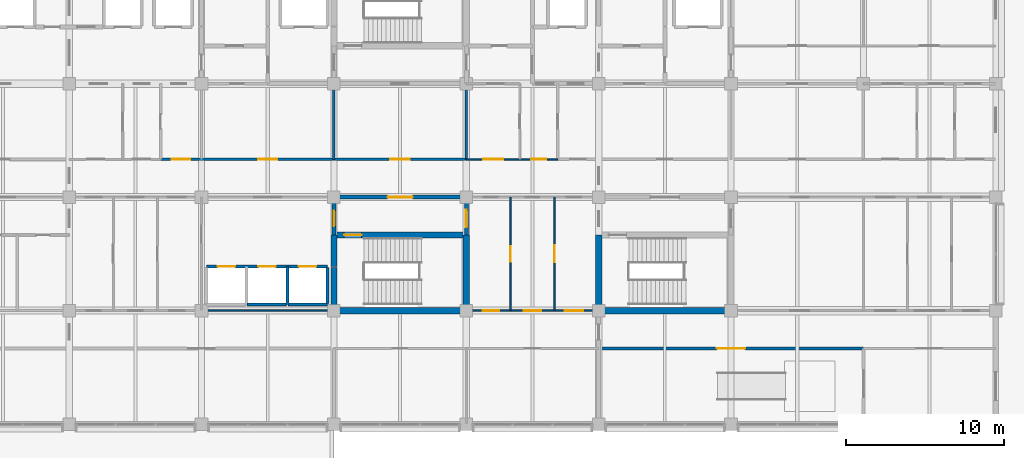
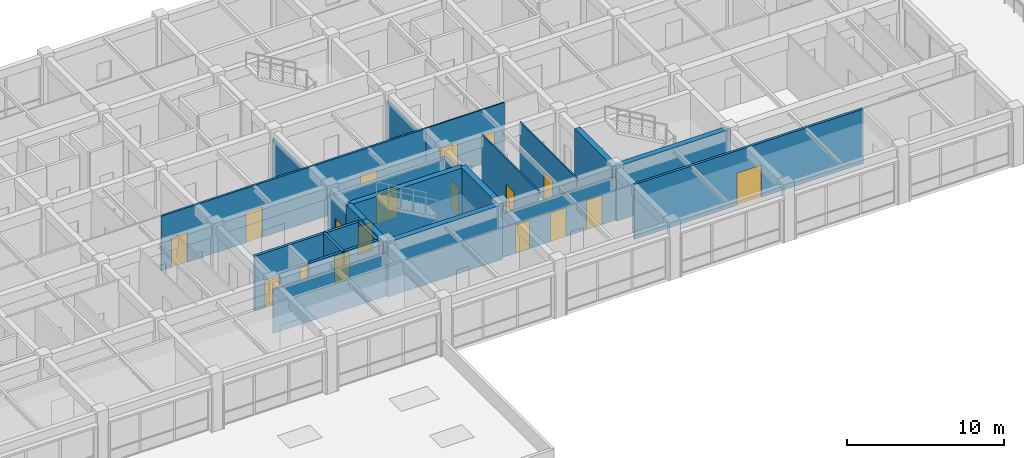
# One storey, part 24 of 40: 24 walls, 18 doors, 18 openings.
"""IFC4 building model written with IfcOpenShell, lengths in metres."""

from ifc_helpers import new_model, si_unit, direction, frame, frame_2d, origin, place, context, subcontext, project, spatial, rectangle, extrude, material, layer, layer_set, type_object, element, fill, save


model = new_model("IFC4")

# Units and contexts
model_context = context("Model", 3, precision=1e-05, world=origin(), true_north=direction((0.0, 1.0)))
body_context = subcontext(model_context, "Body", "Model", "MODEL_VIEW")
ifc_project = project(units=[si_unit("LENGTHUNIT", "METRE"), si_unit("AREAUNIT", "SQUARE_METRE"), si_unit("VOLUMEUNIT", "CUBIC_METRE"), si_unit("PLANEANGLEUNIT", "RADIAN"), si_unit("MASSUNIT", "GRAM", prefix="KILO")], contexts=[model_context])

# Site, building, storey
site_placement = place(None, origin())
site = spatial("IfcSite", under=ifc_project, at=site_placement, CompositionType="ELEMENT")
building_placement = place(site_placement, origin())
building = spatial("IfcBuilding", under=site, at=building_placement, Name="Chengyuan Square Courthouse", CompositionType="ELEMENT")
storey_placement = place(building_placement, frame((0.0, 0.0, 21.60009765625)))
storey = spatial("IfcBuildingStorey", under=building, at=storey_placement, Name="L05", CompositionType="ELEMENT", Elevation=21.60009765625)

# Wall, opening, door
ifc_material_1 = material(Name="Concrete C40", Category="concrete")
ifc_layer_1 = layer(ifc_material_1, 0.25)
ifc_layer_set_1 = layer_set([ifc_layer_1], Name="Concrete C40")
wall_type_1 = type_object("IfcWallType", Name="WL-FW1", PredefinedType="STANDARD", material=ifc_layer_set_1)
wall_1_placement = place(storey_placement, frame((100.800048828125, 93.60009765625, 0.0), z_axis=(0.0, 0.0, 1.0), x_axis=(1.0, 0.0, 0.0)))
wall_1 = element("IfcWall", 1, at=wall_1_placement, inside=storey, type_object=wall_type_1, Name="Interior Wall WL-L05-I2139", PredefinedType="STANDARD", context=body_context, shape_type="SweptSolid", body=[
    extrude(rectangle(XDim=8.39990234375, YDim=0.25, at=frame_2d((4.199951171875, 0.0))), origin(), (0.0, 0.0, 1.0), 3.389892578125),
])
opening_1_placement = place(wall_1_placement, frame((3.39990234375, 0.0, 0.0)))
opening_1 = element("IfcOpeningElement", 2, at=opening_1_placement, cuts=wall_1, Name="Opening DR-1935", PredefinedType="OPENING", context=body_context, shape_type="SweptSolid", body=[
    extrude(rectangle(XDim=1.60009765625, YDim=2.300048828125, at=frame_2d((0.800048828125, 1.14990234375))), frame((0.0, 0.136962890625, 0.0), z_axis=(0.0, -1.0, 0.0), x_axis=(1.0, 0.0, 0.0)), (0.0, 0.0, 1.0), 0.27392578125),
])
ifc_material_2 = material(Name="Steel Q235B Glazed Fire Door", Category="steel")
door_type_1 = type_object("IfcDoorType", Name="DT-17", OperationType="DOUBLE_DOOR_SINGLE_SWING", PredefinedType="DOOR", material=ifc_material_2)
door_1_placement = place(opening_1_placement, frame((1.60009765625, 0.0, 0.0), z_axis=(0.0, 0.0, 1.0), x_axis=(-1.0, 0.0, 0.0)))
door_1 = element("IfcDoor", 3, at=door_1_placement, inside=storey, type_object=door_type_1, Name="Interior Door DR-1935", OperationType="DOUBLE_DOOR_SINGLE_SWING", OverallHeight=2.300048828125, OverallWidth=1.60009765625, PredefinedType="DOOR", context=body_context, shape_type="SweptSolid", body=[
    extrude(rectangle(XDim=1.60009765625, YDim=2.300048828125, at=frame_2d((0.800048828125, 1.14990234375))), frame((0.0, 0.02490234375, 0.0), z_axis=(0.0, -1.0, 0.0), x_axis=(1.0, 0.0, 0.0)), (0.0, 0.0, 1.0), 0.050048828125),
])
fill(opening_1, door_1)

wall_2_placement = place(storey_placement, frame((100.800048828125, 91.199951171875, 0.0), z_axis=(0.0, 0.0, 1.0), x_axis=(0.0, 1.0, 0.0)))
wall_2 = element("IfcWall", 4, at=wall_2_placement, inside=storey, type_object=wall_type_1, Name="Interior Wall WL-L05-I2317", PredefinedType="STANDARD", context=body_context, shape_type="SweptSolid", body=[
    extrude(rectangle(XDim=2.400146484375, YDim=0.25, at=frame_2d((1.2001953125, 0.0))), origin(), (0.0, 0.0, 1.0), 3.489990234375),
])
opening_2_placement = place(wall_2_placement, frame((0.5400390625, 0.0, 0.0)))
opening_2 = element("IfcOpeningElement", 5, at=opening_2_placement, cuts=wall_2, Name="Opening DR-1934", PredefinedType="OPENING", context=body_context, shape_type="SweptSolid", body=[
    extrude(rectangle(XDim=1.0, YDim=2.199951171875, at=frame_2d((0.5, 1.10009765625))), frame((0.0, 0.136962890625, 0.0), z_axis=(0.0, -1.0, 0.0), x_axis=(1.0, 0.0, 0.0)), (0.0, 0.0, 1.0), 0.27392578125),
])
ifc_material_3 = material(Name="Steel Q235B Fire Door", Category="steel")
door_type_2 = type_object("IfcDoorType", Name="DT-11", OperationType="NOTDEFINED", PredefinedType="DOOR", material=ifc_material_3)
door_2_placement = place(opening_2_placement, origin())
door_2 = element("IfcDoor", 6, at=door_2_placement, inside=storey, type_object=door_type_2, Name="Interior Door DR-1934", OperationType="SINGLE_SWING_RIGHT", OverallHeight=2.199951171875, OverallWidth=1.0, PredefinedType="DOOR", context=body_context, shape_type="SweptSolid", body=[
    extrude(rectangle(XDim=1.0, YDim=2.199951171875, at=frame_2d((0.5, 1.10009765625))), frame((0.0, 0.02490234375, 0.0), z_axis=(0.0, -1.0, 0.0), x_axis=(1.0, 0.0, 0.0)), (0.0, 0.0, 1.0), 0.050048828125),
])
fill(opening_2, door_2)

wall_3_placement = place(storey_placement, frame((109.199951171875, 91.199951171875, 0.0), z_axis=(0.0, 0.0, 1.0), x_axis=(0.0, 1.0, 0.0)))
wall_3 = element("IfcWall", 7, at=wall_3_placement, inside=storey, type_object=wall_type_1, Name="Interior Wall WL-L05-I2325", PredefinedType="STANDARD", context=body_context, shape_type="SweptSolid", body=[
    extrude(rectangle(XDim=2.400146484375, YDim=0.25, at=frame_2d((1.2001953125, 0.0))), origin(), (0.0, 0.0, 1.0), 3.489990234375),
])
opening_3_placement = place(wall_3_placement, frame((0.489990234375, 0.0, 0.0)))
opening_3 = element("IfcOpeningElement", 8, at=opening_3_placement, cuts=wall_3, Name="Opening DR-1936", PredefinedType="OPENING", context=body_context, shape_type="SweptSolid", body=[
    extrude(rectangle(XDim=1.10009765625, YDim=2.199951171875, at=frame_2d((0.550048828125, 1.10009765625))), frame((0.0, 0.136962890625, 0.0), z_axis=(0.0, -1.0, 0.0), x_axis=(1.0, 0.0, 0.0)), (0.0, 0.0, 1.0), 0.27392578125),
])
door_type_3 = type_object("IfcDoorType", Name="DT-10", OperationType="NOTDEFINED", PredefinedType="DOOR", material=ifc_material_3)
door_3_placement = place(opening_3_placement, origin())
door_3 = element("IfcDoor", 9, at=door_3_placement, inside=storey, type_object=door_type_3, Name="Interior Door DR-1936", OperationType="SINGLE_SWING_LEFT", OverallHeight=2.199951171875, OverallWidth=1.10009765625, PredefinedType="DOOR", context=body_context, shape_type="SweptSolid", body=[
    extrude(rectangle(XDim=1.10009765625, YDim=2.199951171875, at=frame_2d((0.550048828125, 1.10009765625))), frame((0.0, 0.02490234375, 0.0), z_axis=(0.0, -1.0, 0.0), x_axis=(1.0, 0.0, 0.0)), (0.0, 0.0, 1.0), 0.050048828125),
])
fill(opening_3, door_3)

ifc_material_4 = material(Name="Double-Stud Acoustic Gypsum Courtroom Partition")
ifc_layer_2 = layer(ifc_material_4, 0.179931640625)
ifc_layer_set_2 = layer_set([ifc_layer_2], Name="Double-Stud Acoustic Gypsum Courtroom Partition")
wall_type_2 = type_object("IfcWallType", Name="WL-PT1", PredefinedType="STANDARD", material=ifc_layer_set_2)
wall_4_placement = place(storey_placement, frame((117.60009765625, 84.0, 0.0), z_axis=(0.0, 0.0, 1.0), x_axis=(1.0, 0.0, 0.0)))
wall_4 = element("IfcWall", 10, at=wall_4_placement, inside=storey, type_object=wall_type_2, Name="Interior Wall WL-L05-I2107", PredefinedType="STANDARD", context=body_context, shape_type="SweptSolid", body=[
    extrude(rectangle(XDim=16.7998046875, YDim=0.179931640625, at=frame_2d((8.39990234375, 0.0))), origin(), (0.0, 0.0, 1.0), 4.239990234375),
])
opening_4_placement = place(wall_4_placement, frame((7.5, 0.0, 0.0)))
opening_4 = element("IfcOpeningElement", 11, at=opening_4_placement, cuts=wall_4, Name="Opening DR-2107", PredefinedType="OPENING", context=body_context, shape_type="SweptSolid", body=[
    extrude(rectangle(XDim=1.800048828125, YDim=2.5, at=frame_2d((0.89990234375, 1.25))), frame((0.0, 0.10205078125, 0.0), z_axis=(0.0, -1.0, 0.0), x_axis=(1.0, 0.0, 0.0)), (0.0, 0.0, 1.0), 0.203857421875),
])
ifc_material_5 = material(Name="Acoustic Larch Veneer Double Door")
door_type_4 = type_object("IfcDoorType", Name="DT-21", OperationType="DOUBLE_DOOR_SINGLE_SWING", PredefinedType="DOOR", material=ifc_material_5)
door_4_placement = place(opening_4_placement, frame((1.800048828125, 0.0, 0.0), z_axis=(0.0, 0.0, 1.0), x_axis=(-1.0, 0.0, 0.0)))
door_4 = element("IfcDoor", 12, at=door_4_placement, inside=storey, type_object=door_type_4, Name="Interior Door DR-2107", OperationType="DOUBLE_DOOR_SINGLE_SWING", OverallHeight=2.5, OverallWidth=1.800048828125, PredefinedType="DOOR", context=body_context, shape_type="SweptSolid", body=[
    extrude(rectangle(XDim=1.800048828125, YDim=2.5, at=frame_2d((0.89990234375, 1.25))), frame((0.0, 0.02490234375, 0.0), z_axis=(0.0, -1.0, 0.0), x_axis=(1.0, 0.0, 0.0)), (0.0, 0.0, 1.0), 0.050048828125),
])
fill(opening_4, door_4)

# Wall, openings, doors
ifc_material_6 = material(Name="Deliberation Room Sound-Insulated Partition")
ifc_layer_3 = layer(ifc_material_6, 0.14990234375)
ifc_layer_set_3 = layer_set([ifc_layer_3], Name="Deliberation Room Sound-Insulated Partition")
wall_type_3 = type_object("IfcWallType", Name="WL-PT3", PredefinedType="STANDARD", material=ifc_layer_set_3)
wall_5_placement = place(storey_placement, frame((89.800048828125, 96.0, 0.0), z_axis=(0.0, 0.0, 1.0), x_axis=(1.0, 0.0, 0.0)))
wall_5 = element("IfcWall", 13, at=wall_5_placement, inside=storey, type_object=wall_type_3, Name="Interior Wall WL-L05-I2148", PredefinedType="STANDARD", context=body_context, shape_type="SweptSolid", body=[
    extrude(rectangle(XDim=19.39990234375, YDim=0.14990234375, at=frame_2d((9.699951171875, 0.0))), origin(), (0.0, 0.0, 1.0), 4.239990234375),
])
opening_5_placement = place(wall_5_placement, frame((0.719970703125, 0.0, 0.0)))
opening_5 = element("IfcOpeningElement", 14, at=opening_5_placement, cuts=wall_5, Name="Opening DR-2026", PredefinedType="OPENING", context=body_context, shape_type="SweptSolid", body=[
    extrude(rectangle(XDim=1.159912109375, YDim=2.300048828125, at=frame_2d((0.580078125, 1.14990234375))), frame((0.0, 0.0869140625, 0.0), z_axis=(0.0, -1.0, 0.0), x_axis=(1.0, 0.0, 0.0)), (0.0, 0.0, 1.0), 0.173828125),
])
opening_6_placement = place(wall_5_placement, frame((6.199951171875, 0.0, 0.0)))
opening_6 = element("IfcOpeningElement", 15, at=opening_6_placement, cuts=wall_5, Name="Opening DR-2027", PredefinedType="OPENING", context=body_context, shape_type="SweptSolid", body=[
    extrude(rectangle(XDim=1.199951171875, YDim=2.35009765625, at=frame_2d((0.60009765625, 1.175048828125))), frame((0.0, 0.0869140625, 0.0), z_axis=(0.0, -1.0, 0.0), x_axis=(1.0, 0.0, 0.0)), (0.0, 0.0, 1.0), 0.173828125),
])
opening_7_placement = place(wall_5_placement, frame((14.580078125, 0.0, 0.0)))
opening_7 = element("IfcOpeningElement", 16, at=opening_7_placement, cuts=wall_5, Name="Opening DR-2028", PredefinedType="OPENING", context=body_context, shape_type="SweptSolid", body=[
    extrude(rectangle(XDim=1.239990234375, YDim=2.300048828125, at=frame_2d((0.6201171875, 1.14990234375))), frame((0.0, 0.0869140625, 0.0), z_axis=(0.0, -1.0, 0.0), x_axis=(1.0, 0.0, 0.0)), (0.0, 0.0, 1.0), 0.173828125),
])
ifc_material_7 = material(Name="Acoustic Solid-Core Timber Door", Category="wood")
door_type_5 = type_object("IfcDoorType", Name="DT-35", OperationType="NOTDEFINED", PredefinedType="DOOR", material=ifc_material_7)
door_5_placement = place(opening_5_placement, origin())
door_5 = element("IfcDoor", 17, at=door_5_placement, inside=storey, type_object=door_type_5, Name="Interior Door DR-2026", OperationType="SINGLE_SWING_RIGHT", OverallHeight=2.300048828125, OverallWidth=1.159912109375, PredefinedType="DOOR", context=body_context, shape_type="SweptSolid", body=[
    extrude(rectangle(XDim=1.159912109375, YDim=2.300048828125, at=frame_2d((0.580078125, 1.14990234375))), frame((0.0, 0.02490234375, 0.0), z_axis=(0.0, -1.0, 0.0), x_axis=(1.0, 0.0, 0.0)), (0.0, 0.0, 1.0), 0.050048828125),
])
fill(opening_5, door_5)
door_type_6 = type_object("IfcDoorType", Name="DT-36", OperationType="NOTDEFINED", PredefinedType="DOOR", material=ifc_material_7)
door_6_placement = place(opening_6_placement, origin())
door_6 = element("IfcDoor", 18, at=door_6_placement, inside=storey, type_object=door_type_6, Name="Interior Door DR-2027", OperationType="SINGLE_SWING_LEFT", OverallHeight=2.35009765625, OverallWidth=1.199951171875, PredefinedType="DOOR", context=body_context, shape_type="SweptSolid", body=[
    extrude(rectangle(XDim=1.199951171875, YDim=2.35009765625, at=frame_2d((0.60009765625, 1.175048828125))), frame((0.0, 0.02490234375, 0.0), z_axis=(0.0, -1.0, 0.0), x_axis=(1.0, 0.0, 0.0)), (0.0, 0.0, 1.0), 0.050048828125),
])
fill(opening_6, door_6)
door_type_7 = type_object("IfcDoorType", Name="DT-37", OperationType="NOTDEFINED", PredefinedType="DOOR", material=ifc_material_7)
door_7_placement = place(opening_7_placement, origin())
door_7 = element("IfcDoor", 19, at=door_7_placement, inside=storey, type_object=door_type_7, Name="Interior Door DR-2028", OperationType="SINGLE_SWING_RIGHT", OverallHeight=2.300048828125, OverallWidth=1.239990234375, PredefinedType="DOOR", context=body_context, shape_type="SweptSolid", body=[
    extrude(rectangle(XDim=1.239990234375, YDim=2.300048828125, at=frame_2d((0.6201171875, 1.14990234375))), frame((0.0, 0.02490234375, 0.0), z_axis=(0.0, -1.0, 0.0), x_axis=(1.0, 0.0, 0.0)), (0.0, 0.0, 1.0), 0.050048828125),
])
fill(opening_7, door_7)

# Walls
for number, where, z_axis, x_axis, name in (
    (20, (100.800048828125, 96.0, 0.0), (0.0, 0.0, 1.0), (0.0, 1.0, 0.0), "Interior Wall WL-L05-I2318"),
    (21, (109.199951171875, 96.0, 0.0), (0.0, 0.0, 1.0), (0.0, 1.0, 0.0), "Interior Wall WL-L05-I2326"),
):
    element("IfcWall", number, at=place(storey_placement, frame(where, z_axis=z_axis, x_axis=x_axis)), inside=storey, type_object=wall_type_3, Name=name, PredefinedType="STANDARD", context=body_context, shape_type="SweptSolid", body=[
        extrude(rectangle(XDim=4.800048828125, YDim=0.14990234375, at=frame_2d((2.39990234375, 0.0))), origin(), (0.0, 0.0, 1.0), 3.489990234375),
    ])
ifc_material_8 = material(Name="Gypsum Plasterboard Acoustic Stud Partition")
ifc_layer_4 = layer(ifc_material_8, 0.10009765625)
ifc_layer_set_4 = layer_set([ifc_layer_4], Name="Gypsum Plasterboard Acoustic Stud Partition")
wall_type_4 = type_object("IfcWallType", Name="WL-PT6", PredefinedType="STANDARD", material=ifc_layer_set_4)
wall_6_placement = place(storey_placement, frame((92.449951171875, 86.39990234375, 0.0), z_axis=(0.0, 0.0, 1.0), x_axis=(1.0, 0.0, 0.0)))
element("IfcWall", 22, at=wall_6_placement, inside=storey, type_object=wall_type_4, Name="Interior Wall WL-L05-I2116", PredefinedType="STANDARD", context=body_context, shape_type="SweptSolid", body=[
    extrude(rectangle(XDim=8.300048828125, YDim=0.10009765625, at=frame_2d((4.14990234375, 0.0))), origin(), (0.0, 0.0, 1.0), 3.389892578125),
])

# Wall, openings, doors
wall_7_placement = place(storey_placement, frame((109.199951171875, 86.39990234375, 0.0), z_axis=(0.0, 0.0, 1.0), x_axis=(1.0, 0.0, 0.0)))
wall_7 = element("IfcWall", 23, at=wall_7_placement, inside=storey, type_object=wall_type_4, Name="Interior Wall WL-L05-I2118", PredefinedType="STANDARD", context=body_context, shape_type="SweptSolid", body=[
    extrude(rectangle(XDim=8.400146484375, YDim=0.10009765625, at=frame_2d((4.2001953125, 0.0))), origin(), (0.0, 0.0, 1.0), 3.389892578125),
])
opening_8_placement = place(wall_7_placement, frame((1.0400390625, 0.0, 0.0)))
opening_8 = element("IfcOpeningElement", 24, at=opening_8_placement, cuts=wall_7, Name="Opening DR-2074", PredefinedType="OPENING", context=body_context, shape_type="SweptSolid", body=[
    extrude(rectangle(XDim=1.0400390625, YDim=2.199951171875, at=frame_2d((0.52001953125, 1.10009765625))), frame((0.0, 0.06201171875, 0.0), z_axis=(0.0, -1.0, 0.0), x_axis=(1.0, 0.0, 0.0)), (0.0, 0.0, 1.0), 0.1240234375),
])
opening_9_placement = place(wall_7_placement, frame((3.639892578125, 0.0, 0.0)))
opening_9 = element("IfcOpeningElement", 25, at=opening_9_placement, cuts=wall_7, Name="Opening DR-2076", PredefinedType="OPENING", context=body_context, shape_type="SweptSolid", body=[
    extrude(rectangle(XDim=1.1201171875, YDim=2.25, at=frame_2d((0.56005859375, 1.125))), frame((0.0, 0.06201171875, 0.0), z_axis=(0.0, -1.0, 0.0), x_axis=(1.0, 0.0, 0.0)), (0.0, 0.0, 1.0), 0.1240234375),
])
opening_10_placement = place(wall_7_placement, frame((6.260009765625, 0.0, 0.0)))
opening_10 = element("IfcOpeningElement", 26, at=opening_10_placement, cuts=wall_7, Name="Opening DR-2077", PredefinedType="OPENING", context=body_context, shape_type="SweptSolid", body=[
    extrude(rectangle(XDim=1.159912109375, YDim=2.300048828125, at=frame_2d((0.580078125, 1.14990234375))), frame((0.0, 0.06201171875, 0.0), z_axis=(0.0, -1.0, 0.0), x_axis=(1.0, 0.0, 0.0)), (0.0, 0.0, 1.0), 0.1240234375),
])
door_type_8 = type_object("IfcDoorType", Name="DT-32", OperationType="NOTDEFINED", PredefinedType="DOOR", material=ifc_material_7)
door_8_placement = place(opening_8_placement, origin())
door_8 = element("IfcDoor", 27, at=door_8_placement, inside=storey, type_object=door_type_8, Name="Interior Door DR-2074", OperationType="SINGLE_SWING_RIGHT", OverallHeight=2.199951171875, OverallWidth=1.0400390625, PredefinedType="DOOR", context=body_context, shape_type="SweptSolid", body=[
    extrude(rectangle(XDim=1.0400390625, YDim=2.199951171875, at=frame_2d((0.52001953125, 1.10009765625))), frame((0.0, 0.02490234375, 0.0), z_axis=(0.0, -1.0, 0.0), x_axis=(1.0, 0.0, 0.0)), (0.0, 0.0, 1.0), 0.050048828125),
])
fill(opening_8, door_8)
door_type_9 = type_object("IfcDoorType", Name="DT-34", OperationType="NOTDEFINED", PredefinedType="DOOR", material=ifc_material_7)
door_9_placement = place(opening_9_placement, origin())
door_9 = element("IfcDoor", 28, at=door_9_placement, inside=storey, type_object=door_type_9, Name="Interior Door DR-2076", OperationType="SINGLE_SWING_RIGHT", OverallHeight=2.25, OverallWidth=1.1201171875, PredefinedType="DOOR", context=body_context, shape_type="SweptSolid", body=[
    extrude(rectangle(XDim=1.1201171875, YDim=2.25, at=frame_2d((0.56005859375, 1.125))), frame((0.0, 0.02490234375, 0.0), z_axis=(0.0, -1.0, 0.0), x_axis=(1.0, 0.0, 0.0)), (0.0, 0.0, 1.0), 0.050048828125),
])
fill(opening_9, door_9)
door_10_placement = place(opening_10_placement, origin())
door_10 = element("IfcDoor", 29, at=door_10_placement, inside=storey, type_object=door_type_5, Name="Interior Door DR-2077", OperationType="SINGLE_SWING_LEFT", OverallHeight=2.300048828125, OverallWidth=1.159912109375, PredefinedType="DOOR", context=body_context, shape_type="SweptSolid", body=[
    extrude(rectangle(XDim=1.159912109375, YDim=2.300048828125, at=frame_2d((0.580078125, 1.14990234375))), frame((0.0, 0.02490234375, 0.0), z_axis=(0.0, -1.0, 0.0), x_axis=(1.0, 0.0, 0.0)), (0.0, 0.0, 1.0), 0.050048828125),
])
fill(opening_10, door_10)

wall_8_placement = place(storey_placement, frame((109.199951171875, 96.0, 0.0), z_axis=(0.0, 0.0, 1.0), x_axis=(1.0, 0.0, 0.0)))
wall_8 = element("IfcWall", 30, at=wall_8_placement, inside=storey, type_object=wall_type_4, Name="Interior Wall WL-L05-I2149", PredefinedType="STANDARD", context=body_context, shape_type="SweptSolid", body=[
    extrude(rectangle(XDim=5.800048828125, YDim=0.10009765625, at=frame_2d((2.89990234375, 0.0))), origin(), (0.0, 0.0, 1.0), 4.239990234375),
])
opening_11_placement = place(wall_8_placement, frame((1.06005859375, 0.0, 0.0)))
opening_11 = element("IfcOpeningElement", 31, at=opening_11_placement, cuts=wall_8, Name="Opening DR-2029", PredefinedType="OPENING", context=body_context, shape_type="SweptSolid", body=[
    extrude(rectangle(XDim=1.280029296875, YDim=2.35009765625, at=frame_2d((0.64013671875, 1.175048828125))), frame((0.0, 0.06201171875, 0.0), z_axis=(0.0, -1.0, 0.0), x_axis=(1.0, 0.0, 0.0)), (0.0, 0.0, 1.0), 0.1240234375),
])
opening_12_placement = place(wall_8_placement, frame((4.1298828125, 0.0, 0.0)))
opening_12 = element("IfcOpeningElement", 32, at=opening_12_placement, cuts=wall_8, Name="Opening DR-2030", PredefinedType="OPENING", context=body_context, shape_type="SweptSolid", body=[
    extrude(rectangle(XDim=0.93994140625, YDim=2.300048828125, at=frame_2d((0.469970703125, 1.14990234375))), frame((0.0, 0.06201171875, 0.0), z_axis=(0.0, -1.0, 0.0), x_axis=(1.0, 0.0, 0.0)), (0.0, 0.0, 1.0), 0.1240234375),
])
door_type_10 = type_object("IfcDoorType", Name="DT-38", OperationType="NOTDEFINED", PredefinedType="DOOR", material=ifc_material_7)
door_11_placement = place(opening_11_placement, origin())
door_11 = element("IfcDoor", 33, at=door_11_placement, inside=storey, type_object=door_type_10, Name="Interior Door DR-2029", OperationType="SINGLE_SWING_LEFT", OverallHeight=2.35009765625, OverallWidth=1.280029296875, PredefinedType="DOOR", context=body_context, shape_type="SweptSolid", body=[
    extrude(rectangle(XDim=1.280029296875, YDim=2.35009765625, at=frame_2d((0.64013671875, 1.175048828125))), frame((0.0, 0.02490234375, 0.0), z_axis=(0.0, -1.0, 0.0), x_axis=(1.0, 0.0, 0.0)), (0.0, 0.0, 1.0), 0.050048828125),
])
fill(opening_11, door_11)
door_type_11 = type_object("IfcDoorType", Name="DT-39", OperationType="NOTDEFINED", PredefinedType="DOOR", material=ifc_material_7)
door_12_placement = place(opening_12_placement, origin())
door_12 = element("IfcDoor", 34, at=door_12_placement, inside=storey, type_object=door_type_11, Name="Interior Door DR-2030", OperationType="SINGLE_SWING_RIGHT", OverallHeight=2.300048828125, OverallWidth=0.93994140625, PredefinedType="DOOR", context=body_context, shape_type="SweptSolid", body=[
    extrude(rectangle(XDim=0.93994140625, YDim=2.300048828125, at=frame_2d((0.469970703125, 1.14990234375))), frame((0.0, 0.02490234375, 0.0), z_axis=(0.0, -1.0, 0.0), x_axis=(1.0, 0.0, 0.0)), (0.0, 0.0, 1.0), 0.050048828125),
])
fill(opening_12, door_12)

# Wall, opening, door
wall_9_placement = place(storey_placement, frame((112.0, 86.39990234375, 0.0), z_axis=(0.0, 0.0, 1.0), x_axis=(0.0, 1.0, 0.0)))
wall_9 = element("IfcWall", 35, at=wall_9_placement, inside=storey, type_object=wall_type_4, Name="Interior Wall WL-L05-I2330", PredefinedType="STANDARD", context=body_context, shape_type="SweptSolid", body=[
    extrude(rectangle(XDim=7.2001953125, YDim=0.10009765625, at=frame_2d((3.60009765625, 0.0))), origin(), (0.0, 0.0, 1.0), 4.239990234375),
])
opening_13_placement = place(wall_9_placement, frame((3.10009765625, 0.0, 0.0)))
opening_13 = element("IfcOpeningElement", 36, at=opening_13_placement, cuts=wall_9, Name="Opening DR-2073", PredefinedType="OPENING", context=body_context, shape_type="SweptSolid", body=[
    extrude(rectangle(XDim=1.0, YDim=2.25, at=frame_2d((0.5, 1.125))), frame((0.0, 0.06201171875, 0.0), z_axis=(0.0, -1.0, 0.0), x_axis=(1.0, 0.0, 0.0)), (0.0, 0.0, 1.0), 0.1240234375),
])
door_type_12 = type_object("IfcDoorType", Name="DT-31", OperationType="NOTDEFINED", PredefinedType="DOOR", material=ifc_material_7)
door_13_placement = place(opening_13_placement, origin())
door_13 = element("IfcDoor", 37, at=door_13_placement, inside=storey, type_object=door_type_12, Name="Interior Door DR-2073", OperationType="SINGLE_SWING_LEFT", OverallHeight=2.25, OverallWidth=1.0, PredefinedType="DOOR", context=body_context, shape_type="SweptSolid", body=[
    extrude(rectangle(XDim=1.0, YDim=2.25, at=frame_2d((0.5, 1.125))), frame((0.0, 0.02490234375, 0.0), z_axis=(0.0, -1.0, 0.0), x_axis=(1.0, 0.0, 0.0)), (0.0, 0.0, 1.0), 0.050048828125),
])
fill(opening_13, door_13)

wall_10_placement = place(storey_placement, frame((114.800048828125, 86.39990234375, 0.0), z_axis=(0.0, 0.0, 1.0), x_axis=(0.0, 1.0, 0.0)))
wall_10 = element("IfcWall", 38, at=wall_10_placement, inside=storey, type_object=wall_type_4, Name="Interior Wall WL-L05-I2335", PredefinedType="STANDARD", context=body_context, shape_type="SweptSolid", body=[
    extrude(rectangle(XDim=7.2001953125, YDim=0.10009765625, at=frame_2d((3.60009765625, 0.0))), origin(), (0.0, 0.0, 1.0), 4.239990234375),
])
opening_14_placement = place(wall_10_placement, frame((3.06005859375, 0.0, 0.0)))
opening_14 = element("IfcOpeningElement", 39, at=opening_14_placement, cuts=wall_10, Name="Opening DR-2075", PredefinedType="OPENING", context=body_context, shape_type="SweptSolid", body=[
    extrude(rectangle(XDim=1.080078125, YDim=2.25, at=frame_2d((0.5400390625, 1.125))), frame((0.0, 0.06201171875, 0.0), z_axis=(0.0, -1.0, 0.0), x_axis=(1.0, 0.0, 0.0)), (0.0, 0.0, 1.0), 0.1240234375),
])
door_type_13 = type_object("IfcDoorType", Name="DT-33", OperationType="NOTDEFINED", PredefinedType="DOOR", material=ifc_material_7)
door_14_placement = place(opening_14_placement, origin())
door_14 = element("IfcDoor", 40, at=door_14_placement, inside=storey, type_object=door_type_13, Name="Interior Door DR-2075", OperationType="SINGLE_SWING_LEFT", OverallHeight=2.25, OverallWidth=1.080078125, PredefinedType="DOOR", context=body_context, shape_type="SweptSolid", body=[
    extrude(rectangle(XDim=1.080078125, YDim=2.25, at=frame_2d((0.5400390625, 1.125))), frame((0.0, 0.02490234375, 0.0), z_axis=(0.0, -1.0, 0.0), x_axis=(1.0, 0.0, 0.0)), (0.0, 0.0, 1.0), 0.050048828125),
])
fill(opening_14, door_14)

# Walls
ifc_material_9 = material(Name="Reinforced Masonry Shaft Enclosure", Category="masonry")
ifc_layer_5 = layer(ifc_material_9, 0.199951171875)
ifc_layer_set_5 = layer_set([ifc_layer_5], Name="Reinforced Masonry Shaft Enclosure")
wall_type_5 = type_object("IfcWallType", Name="WL-SH1", PredefinedType="STANDARD", material=ifc_layer_set_5)
for number, where, z_axis, x_axis, name in (
    (41, (95.300048828125, 86.800048828125, 0.0), (0.0, 0.0, 1.0), (1.0, 0.0, 0.0), "Interior Wall WL-L05-I2125"),
    (42, (97.89990234375, 86.800048828125, 0.0), (0.0, 0.0, 1.0), (1.0, 0.0, 0.0), "Interior Wall WL-L05-I2126"),
):
    element("IfcWall", number, at=place(storey_placement, frame(where, z_axis=z_axis, x_axis=x_axis)), inside=storey, type_object=wall_type_5, Name=name, PredefinedType="STANDARD", context=body_context, shape_type="SweptSolid", body=[
        extrude(rectangle(XDim=2.5, YDim=0.199951171875, at=frame_2d((1.25, 0.0))), origin(), (0.0, 0.0, 1.0), 4.239990234375),
    ])

# Wall, openings, doors
wall_11_placement = place(storey_placement, frame((92.699951171875, 89.199951171875, 0.0), z_axis=(0.0, 0.0, 1.0), x_axis=(1.0, 0.0, 0.0)))
wall_11 = element("IfcWall", 43, at=wall_11_placement, inside=storey, type_object=wall_type_5, Name="Interior Wall WL-L05-I2128", PredefinedType="STANDARD", context=body_context, shape_type="SweptSolid", body=[
    extrude(rectangle(XDim=7.699951171875, YDim=0.199951171875, at=frame_2d((3.85009765625, 0.0))), origin(), (0.0, 0.0, 1.0), 4.239990234375),
])
opening_15_placement = place(wall_11_placement, frame((0.72509765625, 0.0, 0.0)))
opening_15 = element("IfcOpeningElement", 44, at=opening_15_placement, cuts=wall_11, Name="Opening LD-096", PredefinedType="OPENING", context=body_context, shape_type="SweptSolid", body=[
    extrude(rectangle(XDim=1.10009765625, YDim=2.14990234375, at=frame_2d((0.550048828125, 1.074951171875))), frame((0.0, 0.112060546875, 0.0), z_axis=(0.0, -1.0, 0.0), x_axis=(1.0, 0.0, 0.0)), (0.0, 0.0, 1.0), 0.223876953125),
])
opening_16_placement = place(wall_11_placement, frame((3.300048828125, 0.0, 0.0)))
opening_16 = element("IfcOpeningElement", 45, at=opening_16_placement, cuts=wall_11, Name="Opening LD-097", PredefinedType="OPENING", context=body_context, shape_type="SweptSolid", body=[
    extrude(rectangle(XDim=1.10009765625, YDim=2.14990234375, at=frame_2d((0.550048828125, 1.074951171875))), frame((0.0, 0.112060546875, 0.0), z_axis=(0.0, -1.0, 0.0), x_axis=(1.0, 0.0, 0.0)), (0.0, 0.0, 1.0), 0.223876953125),
])
opening_17_placement = place(wall_11_placement, frame((5.875, 0.0, 0.0)))
opening_17 = element("IfcOpeningElement", 46, at=opening_17_placement, cuts=wall_11, Name="Opening LD-098", PredefinedType="OPENING", context=body_context, shape_type="SweptSolid", body=[
    extrude(rectangle(XDim=1.10009765625, YDim=2.14990234375, at=frame_2d((0.550048828125, 1.074951171875))), frame((0.0, 0.112060546875, 0.0), z_axis=(0.0, -1.0, 0.0), x_axis=(1.0, 0.0, 0.0)), (0.0, 0.0, 1.0), 0.223876953125),
])
ifc_material_10 = material(Name="Stainless Steel S30408 Lift Landing Door", Category="steel")
door_type_14 = type_object("IfcDoorType", Name="DT-06", OperationType="DOUBLE_DOOR_SLIDING", PredefinedType="DOOR", material=ifc_material_10)
door_15_placement = place(opening_15_placement, origin())
door_15 = element("IfcDoor", 47, at=door_15_placement, inside=storey, type_object=door_type_14, Name="Lift Landing Door LF-P4 L05", OperationType="DOUBLE_DOOR_SLIDING", OverallHeight=2.14990234375, OverallWidth=1.10009765625, PredefinedType="DOOR", context=body_context, shape_type="SweptSolid", body=[
    extrude(rectangle(XDim=1.10009765625, YDim=2.14990234375, at=frame_2d((0.550048828125, 1.074951171875))), frame((0.0, 0.02490234375, 0.0), z_axis=(0.0, -1.0, 0.0), x_axis=(1.0, 0.0, 0.0)), (0.0, 0.0, 1.0), 0.050048828125),
])
fill(opening_15, door_15)
door_16_placement = place(opening_16_placement, origin())
door_16 = element("IfcDoor", 48, at=door_16_placement, inside=storey, type_object=door_type_14, Name="Lift Landing Door LF-P5 L05", OperationType="DOUBLE_DOOR_SLIDING", OverallHeight=2.14990234375, OverallWidth=1.10009765625, PredefinedType="DOOR", context=body_context, shape_type="SweptSolid", body=[
    extrude(rectangle(XDim=1.10009765625, YDim=2.14990234375, at=frame_2d((0.550048828125, 1.074951171875))), frame((0.0, 0.02490234375, 0.0), z_axis=(0.0, -1.0, 0.0), x_axis=(1.0, 0.0, 0.0)), (0.0, 0.0, 1.0), 0.050048828125),
])
fill(opening_16, door_16)
door_17_placement = place(opening_17_placement, origin())
door_17 = element("IfcDoor", 49, at=door_17_placement, inside=storey, type_object=door_type_14, Name="Lift Landing Door LF-P6 L05", OperationType="DOUBLE_DOOR_SLIDING", OverallHeight=2.14990234375, OverallWidth=1.10009765625, PredefinedType="DOOR", context=body_context, shape_type="SweptSolid", body=[
    extrude(rectangle(XDim=1.10009765625, YDim=2.14990234375, at=frame_2d((0.550048828125, 1.074951171875))), frame((0.0, 0.02490234375, 0.0), z_axis=(0.0, -1.0, 0.0), x_axis=(1.0, 0.0, 0.0)), (0.0, 0.0, 1.0), 0.050048828125),
])
fill(opening_17, door_17)

# Walls
wall_12_placement = place(storey_placement, frame((97.85009765625, 86.800048828125, 0.0), z_axis=(0.0, 0.0, 1.0), x_axis=(0.0, 1.0, 0.0)))
element("IfcWall", 50, at=wall_12_placement, inside=storey, type_object=wall_type_5, Name="Interior Wall WL-L05-I2311", PredefinedType="STANDARD", context=body_context, shape_type="SweptSolid", body=[
    extrude(rectangle(XDim=2.39990234375, YDim=0.199951171875, at=frame_2d((1.199951171875, 0.0))), origin(), (0.0, 0.0, 1.0), 4.239990234375),
])
wall_13_placement = place(storey_placement, frame((100.39990234375, 86.85009765625, 0.0), z_axis=(0.0, 0.0, 1.0), x_axis=(0.0, 1.0, 0.0)))
element("IfcWall", 51, at=wall_13_placement, inside=storey, type_object=wall_type_5, Name="Interior Wall WL-L05-I2312", PredefinedType="STANDARD", context=body_context, shape_type="SweptSolid", body=[
    extrude(rectangle(XDim=2.2998046875, YDim=0.199951171875, at=frame_2d((1.14990234375, 0.0))), origin(), (0.0, 0.0, 1.0), 4.239990234375),
])
ifc_material_11 = material(Name="Concrete C50", Category="concrete")
ifc_layer_6 = layer(ifc_material_11, 0.39990234375)
ifc_layer_set_6 = layer_set([ifc_layer_6], Name="Concrete C50")
wall_type_6 = type_object("IfcWallType", Name="WL-SW1", PredefinedType="SHEAR", material=ifc_layer_set_6)
for number, where, z_axis, x_axis, name in (
    (52, (100.800048828125, 86.39990234375, 0.0), (0.0, 0.0, 1.0), (1.0, 0.0, 0.0), "Interior Wall WL-L05-I2117"),
    (53, (117.60009765625, 86.39990234375, 0.0), (0.0, 0.0, 1.0), (1.0, 0.0, 0.0), "Interior Wall WL-L05-I2119"),
):
    element("IfcWall", number, at=place(storey_placement, frame(where, z_axis=z_axis, x_axis=x_axis)), inside=storey, type_object=wall_type_6, Name=name, PredefinedType="SHEAR", context=body_context, shape_type="SweptSolid", body=[
        extrude(rectangle(XDim=8.39990234375, YDim=0.39990234375, at=frame_2d((4.199951171875, 0.0))), origin(), (0.0, 0.0, 1.0), 4.239990234375),
    ])

# Wall, opening, door
wall_14_placement = place(storey_placement, frame((100.800048828125, 91.199951171875, 0.0), z_axis=(0.0, 0.0, 1.0), x_axis=(1.0, 0.0, 0.0)))
wall_14 = element("IfcWall", 54, at=wall_14_placement, inside=storey, type_object=wall_type_6, Name="Interior Wall WL-L05-I2132", PredefinedType="SHEAR", context=body_context, shape_type="SweptSolid", body=[
    extrude(rectangle(XDim=8.39990234375, YDim=0.39990234375, at=frame_2d((4.199951171875, 0.0))), origin(), (0.0, 0.0, 1.0), 4.239990234375),
])
opening_18_placement = place(wall_14_placement, frame((0.64990234375, 0.0, 0.0)))
opening_18 = element("IfcOpeningElement", 55, at=opening_18_placement, cuts=wall_14, Name="Opening DR-1922", PredefinedType="OPENING", context=body_context, shape_type="SweptSolid", body=[
    extrude(rectangle(XDim=1.10009765625, YDim=2.199951171875, at=frame_2d((0.550048828125, 1.10009765625))), frame((0.0, 0.2119140625, 0.0), z_axis=(0.0, -1.0, 0.0), x_axis=(1.0, 0.0, 0.0)), (0.0, 0.0, 1.0), 0.423828125),
])
door_18_placement = place(opening_18_placement, frame((1.10009765625, 0.0, 0.0), z_axis=(0.0, 0.0, 1.0), x_axis=(-1.0, 0.0, 0.0)))
door_18 = element("IfcDoor", 56, at=door_18_placement, inside=storey, type_object=door_type_3, Name="Smoke-Proof Stairwell Fire Door ST-4 DR-1922", OperationType="SINGLE_SWING_LEFT", OverallHeight=2.199951171875, OverallWidth=1.10009765625, PredefinedType="DOOR", context=body_context, shape_type="SweptSolid", body=[
    extrude(rectangle(XDim=1.10009765625, YDim=2.199951171875, at=frame_2d((0.550048828125, 1.10009765625))), frame((0.0, 0.02490234375, 0.0), z_axis=(0.0, -1.0, 0.0), x_axis=(1.0, 0.0, 0.0)), (0.0, 0.0, 1.0), 0.050048828125),
])
fill(opening_18, door_18)

# Walls
wall_15_placement = place(storey_placement, frame((100.800048828125, 86.449951171875, 0.0), z_axis=(0.0, 0.0, 1.0), x_axis=(0.0, 1.0, 0.0)))
element("IfcWall", 57, at=wall_15_placement, inside=storey, type_object=wall_type_6, Name="Interior Wall WL-L05-I2315", PredefinedType="SHEAR", context=body_context, shape_type="SweptSolid", body=[
    extrude(rectangle(XDim=2.699951171875, YDim=0.39990234375, at=frame_2d((1.35009765625, 0.0))), origin(), (0.0, 0.0, 1.0), 4.239990234375),
])
wall_16_placement = place(storey_placement, frame((100.800048828125, 89.199951171875, 0.0), z_axis=(0.0, 0.0, 1.0), x_axis=(0.0, 1.0, 0.0)))
element("IfcWall", 58, at=wall_16_placement, inside=storey, type_object=wall_type_6, Name="Interior Wall WL-L05-I2316", PredefinedType="SHEAR", context=body_context, shape_type="SweptSolid", body=[
    extrude(rectangle(XDim=2.0, YDim=0.39990234375, at=frame_2d((1.0, 0.0))), origin(), (0.0, 0.0, 1.0), 4.239990234375),
])
for number, where, z_axis, x_axis, name in (
    (59, (109.199951171875, 86.39990234375, 0.0), (0.0, 0.0, 1.0), (0.0, 1.0, 0.0), "Interior Wall WL-L05-I2324"),
    (60, (117.60009765625, 86.39990234375, 0.0), (0.0, 0.0, 1.0), (0.0, 1.0, 0.0), "Interior Wall WL-L05-I2339"),
):
    element("IfcWall", number, at=place(storey_placement, frame(where, z_axis=z_axis, x_axis=x_axis)), inside=storey, type_object=wall_type_6, Name=name, PredefinedType="SHEAR", context=body_context, shape_type="SweptSolid", body=[
        extrude(rectangle(XDim=4.800048828125, YDim=0.39990234375, at=frame_2d((2.39990234375, 0.0))), origin(), (0.0, 0.0, 1.0), 4.239990234375),
    ])

save(model, "model.ifc")
